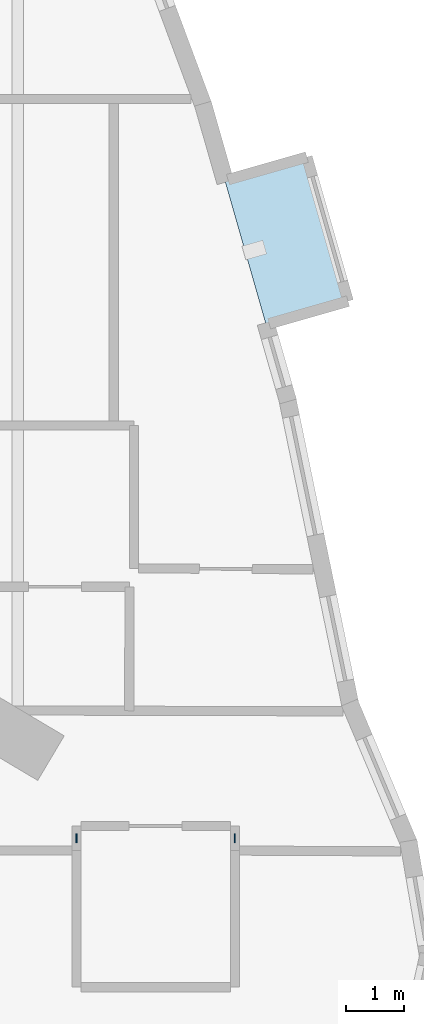
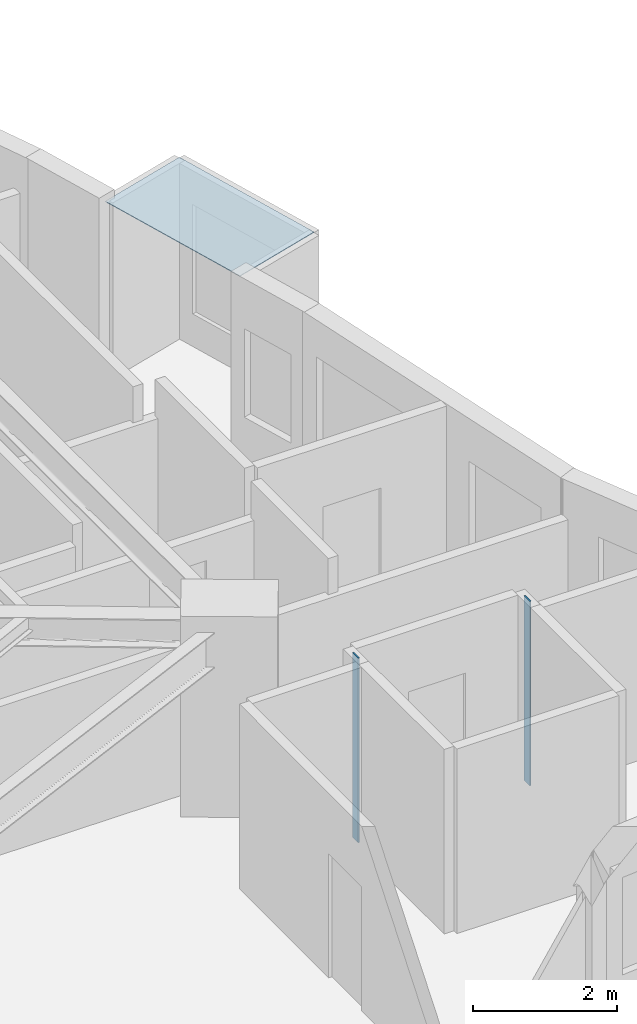
# One storey, part 4 of 13: 3 plates.
"""IFC4 building model written with IfcOpenShell, lengths in metres."""

from ifc_helpers import new_model, si_unit, direction, frame, origin, origin_2d, place, context, subcontext, project, spatial, polyline, rectangle, outline, extrude, material, layer, layer_set, type_object, element, save


model = new_model("IFC4")

# Units and contexts
model_context = context("Model", 3, precision=1e-05, world=origin(), true_north=direction((0.0, 1.0)))
body_context = subcontext(model_context, "Body", "Model", "MODEL_VIEW")
ifc_project = project(units=[si_unit("LENGTHUNIT", "METRE"), si_unit("AREAUNIT", "SQUARE_METRE"), si_unit("VOLUMEUNIT", "CUBIC_METRE"), si_unit("PLANEANGLEUNIT", "RADIAN"), si_unit("MASSUNIT", "GRAM", prefix="KILO")], contexts=[model_context])

# Site, building, storey
site_placement = place(None, origin())
site = spatial("IfcSite", under=ifc_project, at=site_placement, CompositionType="ELEMENT")
building_placement = place(site_placement, origin())
building = spatial("IfcBuilding", under=site, at=building_placement, Name="Miruveldt Soraemaru", CompositionType="ELEMENT")
storey_placement = place(building_placement, frame((0.0, 0.0, 63.199951171875)))
storey = spatial("IfcBuildingStorey", under=building, at=storey_placement, Name="L17", CompositionType="ELEMENT", Elevation=63.199951171875)

# Plates
ifc_material_1 = material(Name="Anodised aluminium EN AW-6063 T6", Category="aluminium")
ifc_layer_1 = layer(ifc_material_1, 0.02001953125, Name="Anodised aluminium EN AW-6063 T6", Category="aluminium")
ifc_layer_set_1 = layer_set([ifc_layer_1], Name="Anodised aluminium EN AW-6063 T6")
plate_type_1 = type_object("IfcPlateType", Name="PLT-PART-TRIM", PredefinedType="SHEET", material=ifc_layer_set_1)
for number, where, z_axis, x_axis, name in (
    (1, (65.1298828125, 31.1640625, 0.0), (0.0, 0.0, 1.0), (0.0, 1.0, 0.0), "L17 Partition Step Corner Trim Plate 084"),
    (2, (62.3798828125, 31.1640625, 0.0), (0.0, 0.0, 1.0), (0.0, -1.0, 0.0), "L17 Partition Step Corner Trim Plate 086"),
):
    element("IfcPlate", number, at=place(storey_placement, frame(where, z_axis=z_axis, x_axis=x_axis)), inside=storey, type_object=plate_type_1, Name=name, PredefinedType="SHEET", context=body_context, shape_type="SweptSolid", body=[
        extrude(rectangle(XDim=0.159912109375, YDim=0.02001953125, at=origin_2d()), origin(), (0.0, 0.0, 1.0), 3.125),
    ])
ifc_material_2 = material(Name="Standing-seam titanium-zinc sheet", Category="aluminium")
ifc_layer_2 = layer(ifc_material_2, 0.011962890625, Name="Standing-seam titanium-zinc sheet", Category="aluminium")
ifc_layer_set_2 = layer_set([ifc_layer_2], Name="Standing-seam titanium-zinc sheet")
plate_type_2 = type_object("IfcPlateType", Name="PLT-ZINC-12", PredefinedType="SHEET", material=ifc_layer_set_2)
plate_placement = place(storey_placement, frame((0.0, 0.0, 2.97509765625)))
element("IfcPlate", 3, at=plate_placement, inside=storey, type_object=plate_type_2, Name="L17 Bay Window Zinc Hood Sheet 4", PredefinedType="SHEET", context=body_context, shape_type="SweptSolid", body=[
    extrude(outline(polyline([(65.67138671875, 40.082763671875), (64.95654296875, 42.58251953125), (66.37939453125, 42.989501953125), (67.094482421875, 40.48974609375), (65.67138671875, 40.082763671875)])), origin(), (0.0, 0.0, 1.0), 0.011962890625),
])

save(model, "model.ifc")
